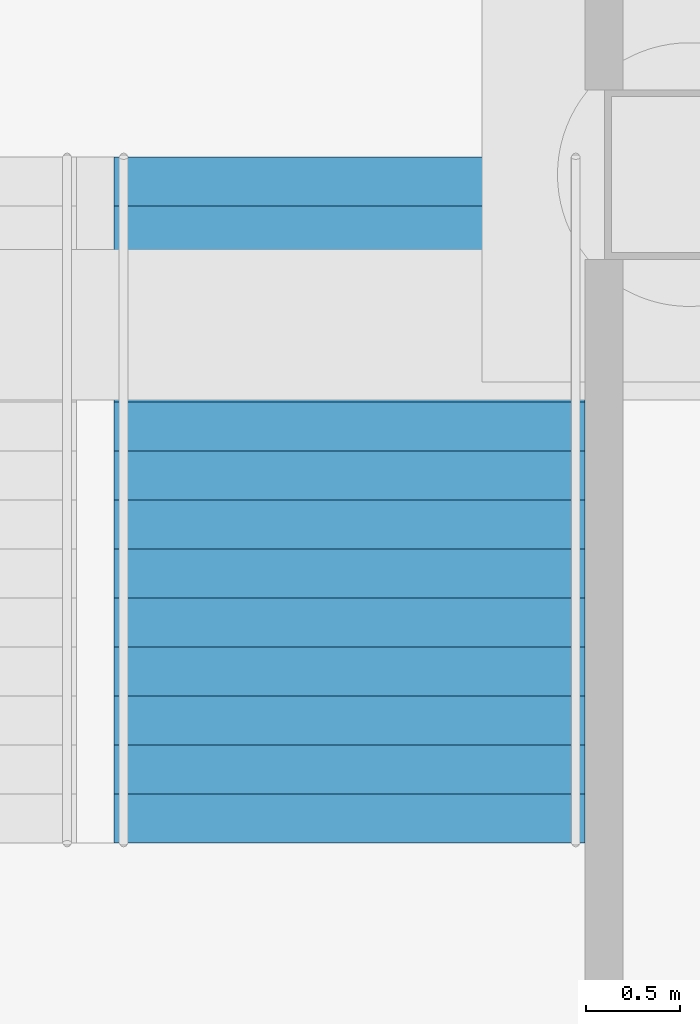
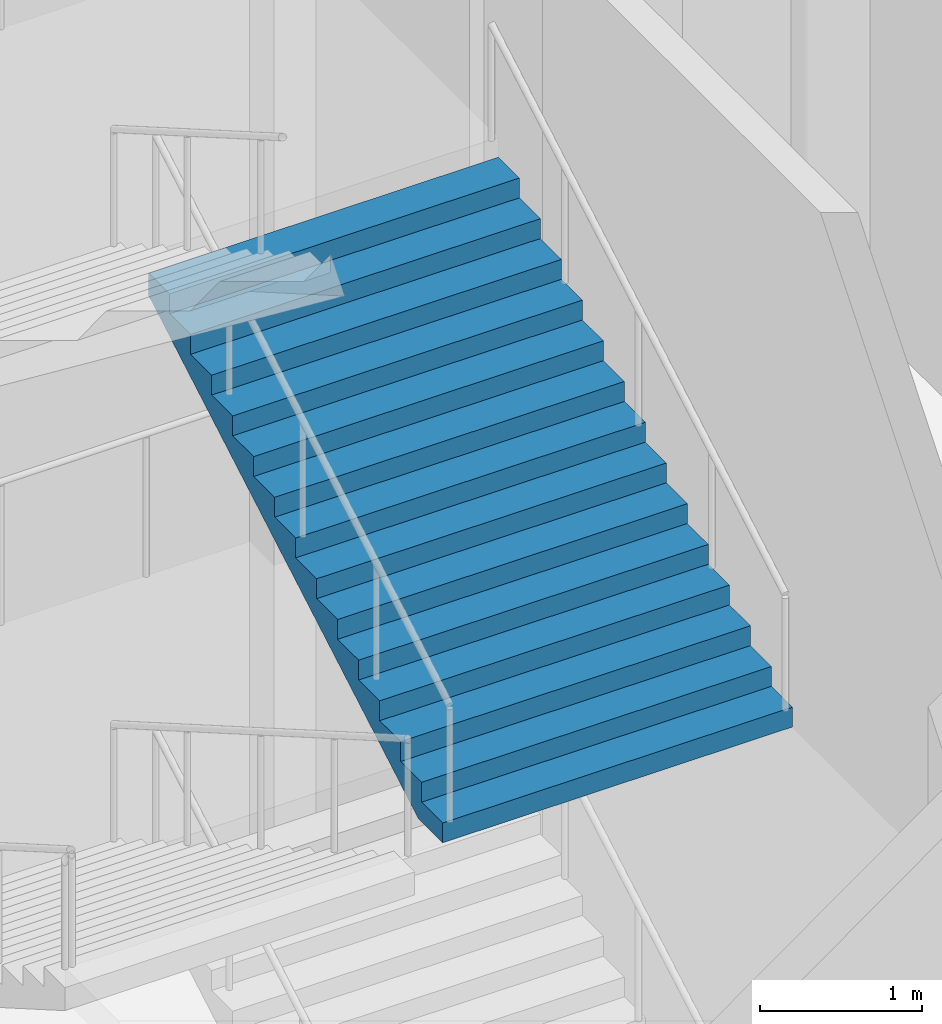
# One storey, part 74 of 113: 1 stair flight, 1 element without a shape of its own.
"""IFC4 building model written with IfcOpenShell, lengths in metres."""

from ifc_helpers import new_model, si_unit, direction, frame, origin, place, context, subcontext, project, spatial, triangles, material, type_object, element, aggregate, save


model = new_model("IFC4")

# Units and contexts
model_context = context("Model", 3, precision=1e-05, world=origin(), true_north=direction((0.0, 1.0)))
body_context = subcontext(model_context, "Body", "Model", "MODEL_VIEW")
ifc_project = project(units=[si_unit("LENGTHUNIT", "METRE"), si_unit("AREAUNIT", "SQUARE_METRE"), si_unit("VOLUMEUNIT", "CUBIC_METRE"), si_unit("PLANEANGLEUNIT", "RADIAN"), si_unit("MASSUNIT", "GRAM", prefix="KILO")], contexts=[model_context])

# Site, building, storey
site_placement = place(None, origin())
site = spatial("IfcSite", under=ifc_project, at=site_placement, CompositionType="ELEMENT")
building_placement = place(site_placement, origin())
building = spatial("IfcBuilding", under=site, at=building_placement, Name="Hakoniwa Tower and Hamabe Station Hall", CompositionType="ELEMENT")
storey_placement = place(building_placement, origin())
storey = spatial("IfcBuildingStorey", under=building, at=storey_placement, Name="L01", CompositionType="ELEMENT", Elevation=0.0)

# Stair, stair flight
ifc_material_1 = material(Name="Concrete C40", Category="concrete")
stair_type = type_object("IfcStairType", Name="STAIR 2500 15X150", PredefinedType="HALF_TURN_STAIR", material=ifc_material_1)
stair_placement = place(storey_placement, origin())
stair = element("IfcStair", 1, at=stair_placement, inside=storey, type_object=stair_type, Name="Escape stair PS3", PredefinedType="HALF_TURN_STAIR")
ifc_material_2 = material(Name="Concrete C40", Category="concrete")
stair_flight_type = type_object("IfcStairFlightType", Name="STAIR FLIGHT 2500", PredefinedType="STRAIGHT", material=ifc_material_2)
stair_flight_placement = place(storey_placement, frame((47.800048828125, -22.35009765625, 4.5), z_axis=(0.0, 0.0, 1.0), x_axis=(0.0, 1.0, 0.0)))
stair_flight = element("IfcStairFlight", 2, at=stair_flight_placement, type_object=stair_flight_type, Name="PS3 flight 3", NumberOfRisers=15, NumberOfTreads=14, PredefinedType="STRAIGHT", RiserHeight=0.15, TreadLength=0.26, context=body_context, shape_type="Tessellation", body=[
    triangles([(0.0, 1.25, 0.0), (0.260009765625, 1.25, 0.0), (0.300048828125, 1.25, 0.0), (0.52001953125, 1.25, 0.126953125), (0.780029296875, 1.25, 0.27685546875), (1.0400390625, 1.25, 0.427001953125), (1.300048828125, 1.25, 0.576904296875), (1.56005859375, 1.25, 0.72705078125), (1.820068359375, 1.25, 0.876953125), (2.080078125, 1.25, 1.02685546875), (2.340087890625, 1.25, 1.177001953125), (2.60009765625, 1.25, 1.326904296875), (2.860107421875, 1.25, 1.47705078125), (3.1201171875, 1.25, 1.626953125), (3.3798828125, 1.25, 1.77685546875), (3.639892578125, 1.25, 1.927001953125), (3.639892578125, 1.25, 2.10009765625), (3.3798828125, 1.25, 2.10009765625), (3.3798828125, 1.25, 1.949951171875), (3.1201171875, 1.25, 1.949951171875), (3.1201171875, 1.25, 1.800048828125), (2.860107421875, 1.25, 1.800048828125), (2.860107421875, 1.25, 1.64990234375), (2.60009765625, 1.25, 1.64990234375), (2.60009765625, 1.25, 1.5), (2.340087890625, 1.25, 1.5), (2.340087890625, 1.25, 1.35009765625), (2.080078125, 1.25, 1.35009765625), (2.080078125, 1.25, 1.199951171875), (1.820068359375, 1.25, 1.199951171875), (1.820068359375, 1.25, 1.050048828125), (1.56005859375, 1.25, 1.050048828125), (1.56005859375, 1.25, 0.89990234375), (1.300048828125, 1.25, 0.89990234375), (1.300048828125, 1.25, 0.75), (1.0400390625, 1.25, 0.75), (1.0400390625, 1.25, 0.60009765625), (0.780029296875, 1.25, 0.60009765625), (0.780029296875, 1.25, 0.449951171875), (0.52001953125, 1.25, 0.449951171875), (0.52001953125, 1.25, 0.300048828125), (0.300048828125, 1.25, 0.300048828125), (0.260009765625, 1.25, 0.300048828125), (0.260009765625, 1.25, 0.14990234375), (0.0, 1.25, 0.14990234375), (0.0, 0.06005859375, 0.0), (0.260009765625, 0.06005859375, 0.0), (0.300048828125, 0.06005859375, 0.0), (0.52001953125, 0.06005859375, 0.126953125), (0.780029296875, 0.06005859375, 0.27685546875), (1.0400390625, 0.06005859375, 0.427001953125), (1.300048828125, 0.06005859375, 0.576904296875), (1.56005859375, 0.06005859375, 0.72705078125), (1.820068359375, 0.06005859375, 0.876953125), (2.080078125, 0.06005859375, 1.02685546875), (2.340087890625, 0.06005859375, 1.177001953125), (2.60009765625, 0.06005859375, 1.326904296875), (2.860107421875, 0.06005859375, 1.47705078125), (3.1201171875, 0.06005859375, 1.626953125), (3.3798828125, 0.06005859375, 1.77685546875), (3.639892578125, 0.06005859375, 1.927001953125), (3.639892578125, 0.06005859375, 2.10009765625), (3.3798828125, 0.06005859375, 2.10009765625), (3.3798828125, 0.06005859375, 1.949951171875), (3.1201171875, 0.06005859375, 1.949951171875), (3.1201171875, 0.06005859375, 1.800048828125), (2.860107421875, 0.06005859375, 1.800048828125), (2.860107421875, 0.06005859375, 1.64990234375), (2.60009765625, 0.06005859375, 1.64990234375), (2.60009765625, 0.06005859375, 1.5), (2.340087890625, 0.06005859375, 1.5), (2.340087890625, 0.06005859375, 1.35009765625), (2.080078125, 0.06005859375, 1.35009765625), (2.080078125, 0.06005859375, 1.199951171875), (1.820068359375, 0.06005859375, 1.199951171875), (1.820068359375, 0.06005859375, 1.050048828125), (1.56005859375, 0.06005859375, 1.050048828125), (1.56005859375, 0.06005859375, 0.89990234375), (1.300048828125, 0.06005859375, 0.89990234375), (1.300048828125, 0.06005859375, 0.75), (1.0400390625, 0.06005859375, 0.75), (1.0400390625, 0.06005859375, 0.60009765625), (0.780029296875, 0.06005859375, 0.60009765625), (0.780029296875, 0.06005859375, 0.449951171875), (0.52001953125, 0.06005859375, 0.449951171875), (0.52001953125, 0.06005859375, 0.300048828125), (0.300048828125, 0.06005859375, 0.300048828125), (0.260009765625, 0.06005859375, 0.300048828125), (0.260009765625, 0.06005859375, 0.14990234375), (0.0, 0.06005859375, 0.14990234375), (0.0, 0.02001953125, 0.0), (0.260009765625, 0.02001953125, 0.0), (0.300048828125, 0.02001953125, 0.0), (0.52001953125, 0.02001953125, 0.126953125), (0.780029296875, 0.02001953125, 0.27685546875), (1.0400390625, 0.02001953125, 0.427001953125), (1.300048828125, 0.02001953125, 0.576904296875), (1.56005859375, 0.02001953125, 0.72705078125), (1.820068359375, 0.02001953125, 0.876953125), (2.080078125, 0.02001953125, 1.02685546875), (2.340087890625, 0.02001953125, 1.177001953125), (2.60009765625, 0.02001953125, 1.326904296875), (2.860107421875, 0.02001953125, 1.47705078125), (3.1201171875, 0.02001953125, 1.626953125), (3.3798828125, 0.02001953125, 1.77685546875), (3.639892578125, 0.02001953125, 1.927001953125), (3.639892578125, 0.02001953125, 2.10009765625), (3.3798828125, 0.02001953125, 2.10009765625), (3.3798828125, 0.02001953125, 1.949951171875), (3.1201171875, 0.02001953125, 1.949951171875), (3.1201171875, 0.02001953125, 1.800048828125), (2.860107421875, 0.02001953125, 1.800048828125), (2.860107421875, 0.02001953125, 1.64990234375), (2.60009765625, 0.02001953125, 1.64990234375), (2.60009765625, 0.02001953125, 1.5), (2.340087890625, 0.02001953125, 1.5), (2.340087890625, 0.02001953125, 1.35009765625), (2.080078125, 0.02001953125, 1.35009765625), (2.080078125, 0.02001953125, 1.199951171875), (1.820068359375, 0.02001953125, 1.199951171875), (1.820068359375, 0.02001953125, 1.050048828125), (1.56005859375, 0.02001953125, 1.050048828125), (1.56005859375, 0.02001953125, 0.89990234375), (1.300048828125, 0.02001953125, 0.89990234375), (1.300048828125, 0.02001953125, 0.75), (1.0400390625, 0.02001953125, 0.75), (1.0400390625, 0.02001953125, 0.60009765625), (0.780029296875, 0.02001953125, 0.60009765625), (0.780029296875, 0.02001953125, 0.449951171875), (0.52001953125, 0.02001953125, 0.449951171875), (0.52001953125, 0.02001953125, 0.300048828125), (0.300048828125, 0.02001953125, 0.300048828125), (0.260009765625, 0.02001953125, 0.300048828125), (0.260009765625, 0.02001953125, 0.14990234375), (0.0, 0.02001953125, 0.14990234375), (0.0, -0.02001953125, 0.0), (0.260009765625, -0.02001953125, 0.0), (0.300048828125, -0.02001953125, 0.0), (0.52001953125, -0.02001953125, 0.126953125), (0.780029296875, -0.02001953125, 0.27685546875), (1.0400390625, -0.02001953125, 0.427001953125), (1.300048828125, -0.02001953125, 0.576904296875), (1.56005859375, -0.02001953125, 0.72705078125), (1.820068359375, -0.02001953125, 0.876953125), (2.080078125, -0.02001953125, 1.02685546875), (2.340087890625, -0.02001953125, 1.177001953125), (2.60009765625, -0.02001953125, 1.326904296875), (2.860107421875, -0.02001953125, 1.47705078125), (3.1201171875, -0.02001953125, 1.626953125), (3.3798828125, -0.02001953125, 1.77685546875), (3.639892578125, -0.02001953125, 1.927001953125), (3.639892578125, -0.02001953125, 2.10009765625), (3.3798828125, -0.02001953125, 2.10009765625), (3.3798828125, -0.02001953125, 1.949951171875), (3.1201171875, -0.02001953125, 1.949951171875), (3.1201171875, -0.02001953125, 1.800048828125), (2.860107421875, -0.02001953125, 1.800048828125), (2.860107421875, -0.02001953125, 1.64990234375), (2.60009765625, -0.02001953125, 1.64990234375), (2.60009765625, -0.02001953125, 1.5), (2.340087890625, -0.02001953125, 1.5), (2.340087890625, -0.02001953125, 1.35009765625), (2.080078125, -0.02001953125, 1.35009765625), (2.080078125, -0.02001953125, 1.199951171875), (1.820068359375, -0.02001953125, 1.199951171875), (1.820068359375, -0.02001953125, 1.050048828125), (1.56005859375, -0.02001953125, 1.050048828125), (1.56005859375, -0.02001953125, 0.89990234375), (1.300048828125, -0.02001953125, 0.89990234375), (1.300048828125, -0.02001953125, 0.75), (1.0400390625, -0.02001953125, 0.75), (1.0400390625, -0.02001953125, 0.60009765625), (0.780029296875, -0.02001953125, 0.60009765625), (0.780029296875, -0.02001953125, 0.449951171875), (0.52001953125, -0.02001953125, 0.449951171875), (0.52001953125, -0.02001953125, 0.300048828125), (0.300048828125, -0.02001953125, 0.300048828125), (0.260009765625, -0.02001953125, 0.300048828125), (0.260009765625, -0.02001953125, 0.14990234375), (0.0, -0.02001953125, 0.14990234375), (0.0, -0.06005859375, 0.0), (0.260009765625, -0.06005859375, 0.0), (0.300048828125, -0.06005859375, 0.0), (0.52001953125, -0.06005859375, 0.126953125), (0.780029296875, -0.06005859375, 0.27685546875), (1.0400390625, -0.06005859375, 0.427001953125), (1.300048828125, -0.06005859375, 0.576904296875), (1.56005859375, -0.06005859375, 0.72705078125), (1.820068359375, -0.06005859375, 0.876953125), (2.080078125, -0.06005859375, 1.02685546875), (2.340087890625, -0.06005859375, 1.177001953125), (2.60009765625, -0.06005859375, 1.326904296875), (2.860107421875, -0.06005859375, 1.47705078125), (3.1201171875, -0.06005859375, 1.626953125), (3.3798828125, -0.06005859375, 1.77685546875), (3.639892578125, -0.06005859375, 1.927001953125), (3.639892578125, -0.06005859375, 2.10009765625), (3.3798828125, -0.06005859375, 2.10009765625), (3.3798828125, -0.06005859375, 1.949951171875), (3.1201171875, -0.06005859375, 1.949951171875), (3.1201171875, -0.06005859375, 1.800048828125), (2.860107421875, -0.06005859375, 1.800048828125), (2.860107421875, -0.06005859375, 1.64990234375), (2.60009765625, -0.06005859375, 1.64990234375), (2.60009765625, -0.06005859375, 1.5), (2.340087890625, -0.06005859375, 1.5), (2.340087890625, -0.06005859375, 1.35009765625), (2.080078125, -0.06005859375, 1.35009765625), (2.080078125, -0.06005859375, 1.199951171875), (1.820068359375, -0.06005859375, 1.199951171875), (1.820068359375, -0.06005859375, 1.050048828125), (1.56005859375, -0.06005859375, 1.050048828125), (1.56005859375, -0.06005859375, 0.89990234375), (1.300048828125, -0.06005859375, 0.89990234375), (1.300048828125, -0.06005859375, 0.75), (1.0400390625, -0.06005859375, 0.75), (1.0400390625, -0.06005859375, 0.60009765625), (0.780029296875, -0.06005859375, 0.60009765625), (0.780029296875, -0.06005859375, 0.449951171875), (0.52001953125, -0.06005859375, 0.449951171875), (0.52001953125, -0.06005859375, 0.300048828125), (0.300048828125, -0.06005859375, 0.300048828125), (0.260009765625, -0.06005859375, 0.300048828125), (0.260009765625, -0.06005859375, 0.14990234375), (0.0, -0.06005859375, 0.14990234375), (0.0, -1.25, 0.0), (0.260009765625, -1.25, 0.0), (0.300048828125, -1.25, 0.0), (0.52001953125, -1.25, 0.126953125), (0.780029296875, -1.25, 0.27685546875), (1.0400390625, -1.25, 0.427001953125), (1.300048828125, -1.25, 0.576904296875), (1.56005859375, -1.25, 0.72705078125), (1.820068359375, -1.25, 0.876953125), (2.080078125, -1.25, 1.02685546875), (2.340087890625, -1.25, 1.177001953125), (2.60009765625, -1.25, 1.326904296875), (2.860107421875, -1.25, 1.47705078125), (3.1201171875, -1.25, 1.626953125), (3.3798828125, -1.25, 1.77685546875), (3.639892578125, -1.25, 1.927001953125), (3.639892578125, -1.25, 2.10009765625), (3.3798828125, -1.25, 2.10009765625), (3.3798828125, -1.25, 1.949951171875), (3.1201171875, -1.25, 1.949951171875), (3.1201171875, -1.25, 1.800048828125), (2.860107421875, -1.25, 1.800048828125), (2.860107421875, -1.25, 1.64990234375), (2.60009765625, -1.25, 1.64990234375), (2.60009765625, -1.25, 1.5), (2.340087890625, -1.25, 1.5), (2.340087890625, -1.25, 1.35009765625), (2.080078125, -1.25, 1.35009765625), (2.080078125, -1.25, 1.199951171875), (1.820068359375, -1.25, 1.199951171875), (1.820068359375, -1.25, 1.050048828125), (1.56005859375, -1.25, 1.050048828125), (1.56005859375, -1.25, 0.89990234375), (1.300048828125, -1.25, 0.89990234375), (1.300048828125, -1.25, 0.75), (1.0400390625, -1.25, 0.75), (1.0400390625, -1.25, 0.60009765625), (0.780029296875, -1.25, 0.60009765625), (0.780029296875, -1.25, 0.449951171875), (0.52001953125, -1.25, 0.449951171875), (0.52001953125, -1.25, 0.300048828125), (0.300048828125, -1.25, 0.300048828125), (0.260009765625, -1.25, 0.300048828125), (0.260009765625, -1.25, 0.14990234375), (0.0, -1.25, 0.14990234375)], [[2, 45, 44], [227, 269, 270], [2, 1, 45], [227, 270, 226], [3, 43, 42], [228, 267, 268], [3, 44, 43], [228, 268, 269], [3, 2, 44], [228, 269, 227], [4, 42, 41], [229, 266, 267], [4, 3, 42], [229, 267, 228], [5, 40, 39], [230, 264, 265], [5, 41, 40], [230, 265, 266], [5, 4, 41], [230, 266, 229], [6, 38, 37], [231, 262, 263], [6, 39, 38], [231, 263, 264], [6, 5, 39], [231, 264, 230], [7, 36, 35], [232, 260, 261], [7, 37, 36], [232, 261, 262], [7, 6, 37], [232, 262, 231], [8, 34, 33], [233, 258, 259], [8, 35, 34], [233, 259, 260], [8, 7, 35], [233, 260, 232], [9, 32, 31], [234, 256, 257], [9, 33, 32], [234, 257, 258], [9, 8, 33], [234, 258, 233], [10, 30, 29], [235, 254, 255], [10, 31, 30], [235, 255, 256], [10, 9, 31], [235, 256, 234], [11, 28, 27], [236, 252, 253], [11, 29, 28], [236, 253, 254], [11, 10, 29], [236, 254, 235], [12, 26, 25], [237, 250, 251], [12, 27, 26], [237, 251, 252], [12, 11, 27], [237, 252, 236], [13, 24, 23], [238, 248, 249], [13, 25, 24], [238, 249, 250], [13, 12, 25], [238, 250, 237], [14, 22, 21], [239, 246, 247], [14, 23, 22], [239, 247, 248], [14, 13, 23], [239, 248, 238], [15, 20, 19], [240, 244, 245], [15, 21, 20], [240, 245, 246], [15, 14, 21], [240, 246, 239], [16, 18, 17], [241, 242, 243], [16, 19, 18], [241, 243, 244], [16, 15, 19], [241, 244, 240], [1, 2, 47], [1, 47, 46], [46, 47, 92], [46, 92, 91], [91, 92, 137], [91, 137, 136], [136, 137, 182], [136, 182, 181], [181, 182, 227], [181, 227, 226], [2, 3, 48], [2, 48, 47], [47, 48, 93], [47, 93, 92], [92, 93, 138], [92, 138, 137], [137, 138, 183], [137, 183, 182], [182, 183, 228], [182, 228, 227], [3, 4, 49], [3, 49, 48], [48, 49, 94], [48, 94, 93], [93, 94, 139], [93, 139, 138], [138, 139, 184], [138, 184, 183], [183, 184, 229], [183, 229, 228], [4, 5, 50], [4, 50, 49], [49, 50, 95], [49, 95, 94], [94, 95, 140], [94, 140, 139], [139, 140, 185], [139, 185, 184], [184, 185, 230], [184, 230, 229], [5, 6, 51], [5, 51, 50], [50, 51, 96], [50, 96, 95], [95, 96, 141], [95, 141, 140], [140, 141, 186], [140, 186, 185], [185, 186, 231], [185, 231, 230], [6, 7, 52], [6, 52, 51], [51, 52, 97], [51, 97, 96], [96, 97, 142], [96, 142, 141], [141, 142, 187], [141, 187, 186], [186, 187, 232], [186, 232, 231], [7, 8, 53], [7, 53, 52], [52, 53, 98], [52, 98, 97], [97, 98, 143], [97, 143, 142], [142, 143, 188], [142, 188, 187], [187, 188, 233], [187, 233, 232], [8, 9, 54], [8, 54, 53], [53, 54, 99], [53, 99, 98], [98, 99, 144], [98, 144, 143], [143, 144, 189], [143, 189, 188], [188, 189, 234], [188, 234, 233], [9, 10, 55], [9, 55, 54], [54, 55, 100], [54, 100, 99], [99, 100, 145], [99, 145, 144], [144, 145, 190], [144, 190, 189], [189, 190, 235], [189, 235, 234], [10, 11, 56], [10, 56, 55], [55, 56, 101], [55, 101, 100], [100, 101, 146], [100, 146, 145], [145, 146, 191], [145, 191, 190], [190, 191, 236], [190, 236, 235], [11, 12, 57], [11, 57, 56], [56, 57, 102], [56, 102, 101], [101, 102, 147], [101, 147, 146], [146, 147, 192], [146, 192, 191], [191, 192, 237], [191, 237, 236], [12, 13, 58], [12, 58, 57], [57, 58, 103], [57, 103, 102], [102, 103, 148], [102, 148, 147], [147, 148, 193], [147, 193, 192], [192, 193, 238], [192, 238, 237], [13, 14, 59], [13, 59, 58], [58, 59, 104], [58, 104, 103], [103, 104, 149], [103, 149, 148], [148, 149, 194], [148, 194, 193], [193, 194, 239], [193, 239, 238], [14, 15, 60], [14, 60, 59], [59, 60, 105], [59, 105, 104], [104, 105, 150], [104, 150, 149], [149, 150, 195], [149, 195, 194], [194, 195, 240], [194, 240, 239], [15, 16, 61], [15, 61, 60], [60, 61, 106], [60, 106, 105], [105, 106, 151], [105, 151, 150], [150, 151, 196], [150, 196, 195], [195, 196, 241], [195, 241, 240], [16, 17, 62], [16, 62, 61], [61, 62, 107], [61, 107, 106], [106, 107, 152], [106, 152, 151], [151, 152, 197], [151, 197, 196], [196, 197, 242], [196, 242, 241], [17, 18, 63], [17, 63, 62], [62, 63, 108], [62, 108, 107], [107, 108, 153], [107, 153, 152], [152, 153, 198], [152, 198, 197], [197, 198, 243], [197, 243, 242], [18, 19, 64], [18, 64, 63], [63, 64, 109], [63, 109, 108], [108, 109, 154], [108, 154, 153], [153, 154, 199], [153, 199, 198], [198, 199, 244], [198, 244, 243], [19, 20, 65], [19, 65, 64], [64, 65, 110], [64, 110, 109], [109, 110, 155], [109, 155, 154], [154, 155, 200], [154, 200, 199], [199, 200, 245], [199, 245, 244], [20, 21, 66], [20, 66, 65], [65, 66, 111], [65, 111, 110], [110, 111, 156], [110, 156, 155], [155, 156, 201], [155, 201, 200], [200, 201, 246], [200, 246, 245], [21, 22, 67], [21, 67, 66], [66, 67, 112], [66, 112, 111], [111, 112, 157], [111, 157, 156], [156, 157, 202], [156, 202, 201], [201, 202, 247], [201, 247, 246], [22, 23, 68], [22, 68, 67], [67, 68, 113], [67, 113, 112], [112, 113, 158], [112, 158, 157], [157, 158, 203], [157, 203, 202], [202, 203, 248], [202, 248, 247], [23, 24, 69], [23, 69, 68], [68, 69, 114], [68, 114, 113], [113, 114, 159], [113, 159, 158], [158, 159, 204], [158, 204, 203], [203, 204, 249], [203, 249, 248], [24, 25, 70], [24, 70, 69], [69, 70, 115], [69, 115, 114], [114, 115, 160], [114, 160, 159], [159, 160, 205], [159, 205, 204], [204, 205, 250], [204, 250, 249], [25, 26, 71], [25, 71, 70], [70, 71, 116], [70, 116, 115], [115, 116, 161], [115, 161, 160], [160, 161, 206], [160, 206, 205], [205, 206, 251], [205, 251, 250], [26, 27, 72], [26, 72, 71], [71, 72, 117], [71, 117, 116], [116, 117, 162], [116, 162, 161], [161, 162, 207], [161, 207, 206], [206, 207, 252], [206, 252, 251], [27, 28, 73], [27, 73, 72], [72, 73, 118], [72, 118, 117], [117, 118, 163], [117, 163, 162], [162, 163, 208], [162, 208, 207], [207, 208, 253], [207, 253, 252], [28, 29, 74], [28, 74, 73], [73, 74, 119], [73, 119, 118], [118, 119, 164], [118, 164, 163], [163, 164, 209], [163, 209, 208], [208, 209, 254], [208, 254, 253], [29, 30, 75], [29, 75, 74], [74, 75, 120], [74, 120, 119], [119, 120, 165], [119, 165, 164], [164, 165, 210], [164, 210, 209], [209, 210, 255], [209, 255, 254], [30, 31, 76], [30, 76, 75], [75, 76, 121], [75, 121, 120], [120, 121, 166], [120, 166, 165], [165, 166, 211], [165, 211, 210], [210, 211, 256], [210, 256, 255], [31, 32, 77], [31, 77, 76], [76, 77, 122], [76, 122, 121], [121, 122, 167], [121, 167, 166], [166, 167, 212], [166, 212, 211], [211, 212, 257], [211, 257, 256], [32, 33, 78], [32, 78, 77], [77, 78, 123], [77, 123, 122], [122, 123, 168], [122, 168, 167], [167, 168, 213], [167, 213, 212], [212, 213, 258], [212, 258, 257], [33, 34, 79], [33, 79, 78], [78, 79, 124], [78, 124, 123], [123, 124, 169], [123, 169, 168], [168, 169, 214], [168, 214, 213], [213, 214, 259], [213, 259, 258], [34, 35, 80], [34, 80, 79], [79, 80, 125], [79, 125, 124], [124, 125, 170], [124, 170, 169], [169, 170, 215], [169, 215, 214], [214, 215, 260], [214, 260, 259], [35, 36, 81], [35, 81, 80], [80, 81, 126], [80, 126, 125], [125, 126, 171], [125, 171, 170], [170, 171, 216], [170, 216, 215], [215, 216, 261], [215, 261, 260], [36, 37, 82], [36, 82, 81], [81, 82, 127], [81, 127, 126], [126, 127, 172], [126, 172, 171], [171, 172, 217], [171, 217, 216], [216, 217, 262], [216, 262, 261], [37, 38, 83], [37, 83, 82], [82, 83, 128], [82, 128, 127], [127, 128, 173], [127, 173, 172], [172, 173, 218], [172, 218, 217], [217, 218, 263], [217, 263, 262], [38, 39, 84], [38, 84, 83], [83, 84, 129], [83, 129, 128], [128, 129, 174], [128, 174, 173], [173, 174, 219], [173, 219, 218], [218, 219, 264], [218, 264, 263], [39, 40, 85], [39, 85, 84], [84, 85, 130], [84, 130, 129], [129, 130, 175], [129, 175, 174], [174, 175, 220], [174, 220, 219], [219, 220, 265], [219, 265, 264], [40, 41, 86], [40, 86, 85], [85, 86, 131], [85, 131, 130], [130, 131, 176], [130, 176, 175], [175, 176, 221], [175, 221, 220], [220, 221, 266], [220, 266, 265], [41, 42, 87], [41, 87, 86], [86, 87, 132], [86, 132, 131], [131, 132, 177], [131, 177, 176], [176, 177, 222], [176, 222, 221], [221, 222, 267], [221, 267, 266], [42, 43, 88], [42, 88, 87], [87, 88, 133], [87, 133, 132], [132, 133, 178], [132, 178, 177], [177, 178, 223], [177, 223, 222], [222, 223, 268], [222, 268, 267], [43, 44, 89], [43, 89, 88], [88, 89, 134], [88, 134, 133], [133, 134, 179], [133, 179, 178], [178, 179, 224], [178, 224, 223], [223, 224, 269], [223, 269, 268], [44, 45, 90], [44, 90, 89], [89, 90, 135], [89, 135, 134], [134, 135, 180], [134, 180, 179], [179, 180, 225], [179, 225, 224], [224, 225, 270], [224, 270, 269], [45, 1, 46], [45, 46, 90], [90, 46, 91], [90, 91, 135], [135, 91, 136], [135, 136, 180], [180, 136, 181], [180, 181, 225], [225, 181, 226], [225, 226, 270]], closed=True),
])
aggregate(stair, [stair_flight])

save(model, "model.ifc")
